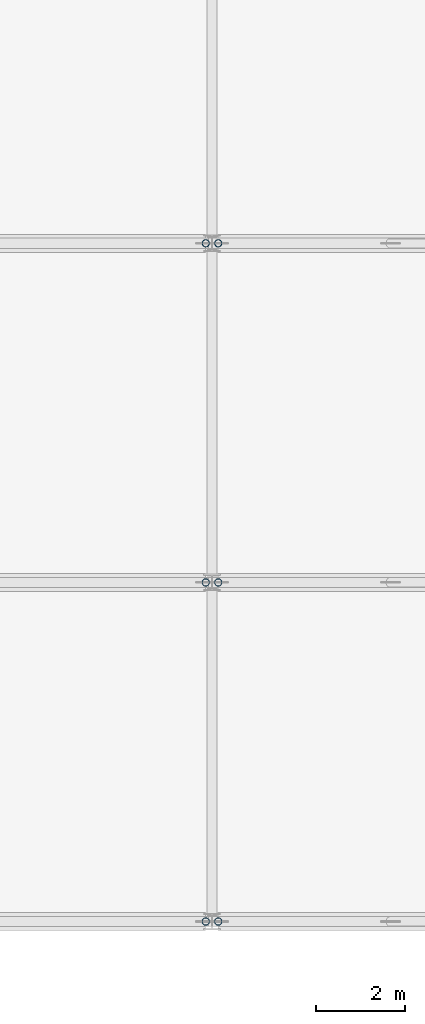
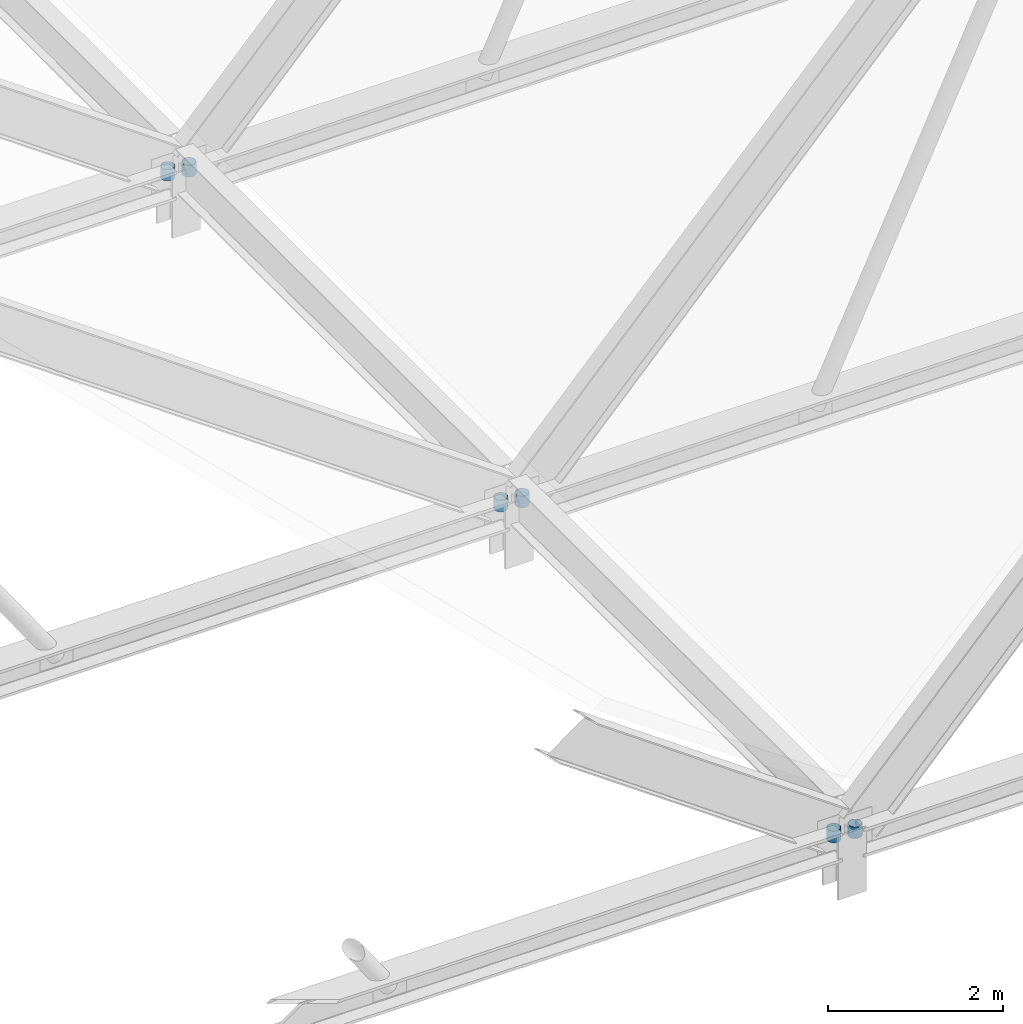
# One storey, part 66 of 100: 6 members.
"""IFC4 building model written with IfcOpenShell, lengths in metres."""

from ifc_helpers import new_model, si_unit, direction, frame, origin, origin_2d, place, context, subcontext, project, spatial, hollow_circle, extrude, material, material_profile, profile_set, type_object, element, save


model = new_model("IFC4")

# Units and contexts
model_context = context("Model", 3, precision=1e-05, world=origin(), true_north=direction((0.0, 1.0)))
body_context = subcontext(model_context, "Body", "Model", "MODEL_VIEW")
ifc_project = project(units=[si_unit("LENGTHUNIT", "METRE"), si_unit("AREAUNIT", "SQUARE_METRE"), si_unit("VOLUMEUNIT", "CUBIC_METRE"), si_unit("PLANEANGLEUNIT", "RADIAN"), si_unit("MASSUNIT", "GRAM", prefix="KILO")], contexts=[model_context])

# Site, building, storey
site_placement = place(None, origin())
site = spatial("IfcSite", under=ifc_project, at=site_placement, CompositionType="ELEMENT")
building_placement = place(site_placement, origin())
building = spatial("IfcBuilding", under=site, at=building_placement, Name="Zulena Civic Courthouse", CompositionType="ELEMENT")
storey_placement = place(building_placement, frame((0.0, 0.0, 20.39990234375)))
storey = spatial("IfcBuildingStorey", under=building, at=storey_placement, Name="L04", CompositionType="ELEMENT", Elevation=20.39990234375)

# Members
ifc_material = material(Name="Steel ASTM A500 Grade C", Category="steel")
ifc_material_profile = material_profile(ifc_material, hollow_circle(Radius=0.083984375, WallThickness=0.00732421875, at=origin_2d()), Name="HSS6.625X0.312")
ifc_profile_set = profile_set([ifc_material_profile], Name="Steel ASTM A500 Grade C")
member_type = type_object("IfcMemberType", Name="RoofWeb_CHS6", PredefinedType="USERDEFINED", material=ifc_profile_set)
for number, where, z_axis, x_axis, name in (
    (1, (155.860107421875, 0.0, 0.536376953125), (0.0, 0.0, 1.0), (1.0, 0.0, 0.0), "mem:fold:postE:06:0.0"),
    (2, (155.860107421875, 7.60009765625, 0.536376953125), (0.0, 0.0, 1.0), (1.0, 0.0, 0.0), "mem:fold:postE:06:7.6"),
    (3, (155.860107421875, 15.199951171875, 0.536376953125), (0.0, 0.0, 1.0), (1.0, 0.0, 0.0), "mem:fold:postE:06:15.2"),
):
    element("IfcMember", number, at=place(storey_placement, frame(where, z_axis=z_axis, x_axis=x_axis)), inside=storey, type_object=member_type, Name=name, ObjectType="ROOF TRUSS", PredefinedType="USERDEFINED", context=body_context, shape_type="SweptSolid", body=[
        extrude(hollow_circle(Radius=0.083984375, WallThickness=0.00732421875, at=origin_2d()), origin(), (0.0, 0.0, 1.0), 0.16015625),
    ])
for number, where, z_axis, x_axis, name in (
    (4, (156.139892578125, 0.0, 0.496337890625), (0.0, 0.0, 1.0), (1.0, 0.0, 0.0), "mem:fold:postW:07:0.0"),
    (5, (156.139892578125, 7.60009765625, 0.496337890625), (0.0, 0.0, 1.0), (1.0, 0.0, 0.0), "mem:fold:postW:07:7.6"),
    (6, (156.139892578125, 15.199951171875, 0.496337890625), (0.0, 0.0, 1.0), (1.0, 0.0, 0.0), "mem:fold:postW:07:15.2"),
):
    element("IfcMember", number, at=place(storey_placement, frame(where, z_axis=z_axis, x_axis=x_axis)), inside=storey, type_object=member_type, Name=name, ObjectType="ROOF TRUSS", PredefinedType="USERDEFINED", context=body_context, shape_type="SweptSolid", body=[
        extrude(hollow_circle(Radius=0.083984375, WallThickness=0.00732421875, at=origin_2d()), origin(), (0.0, 0.0, 1.0), 0.159912109375),
    ])

save(model, "model.ifc")
